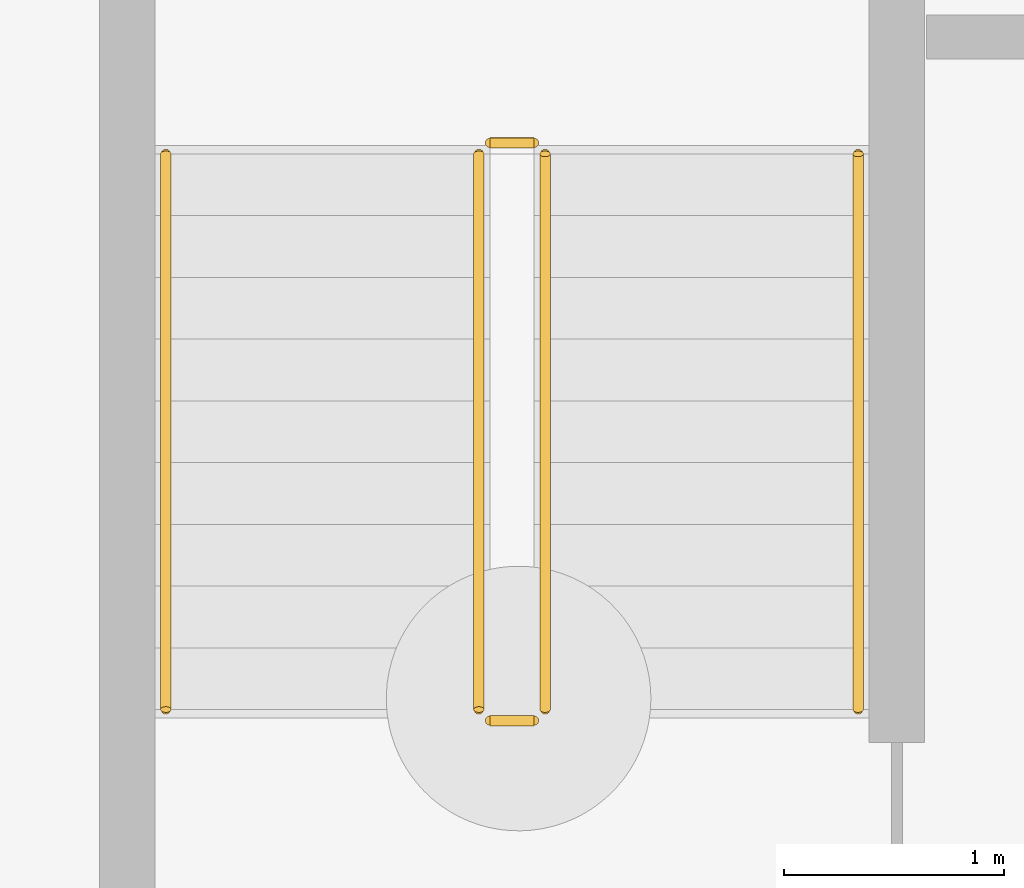
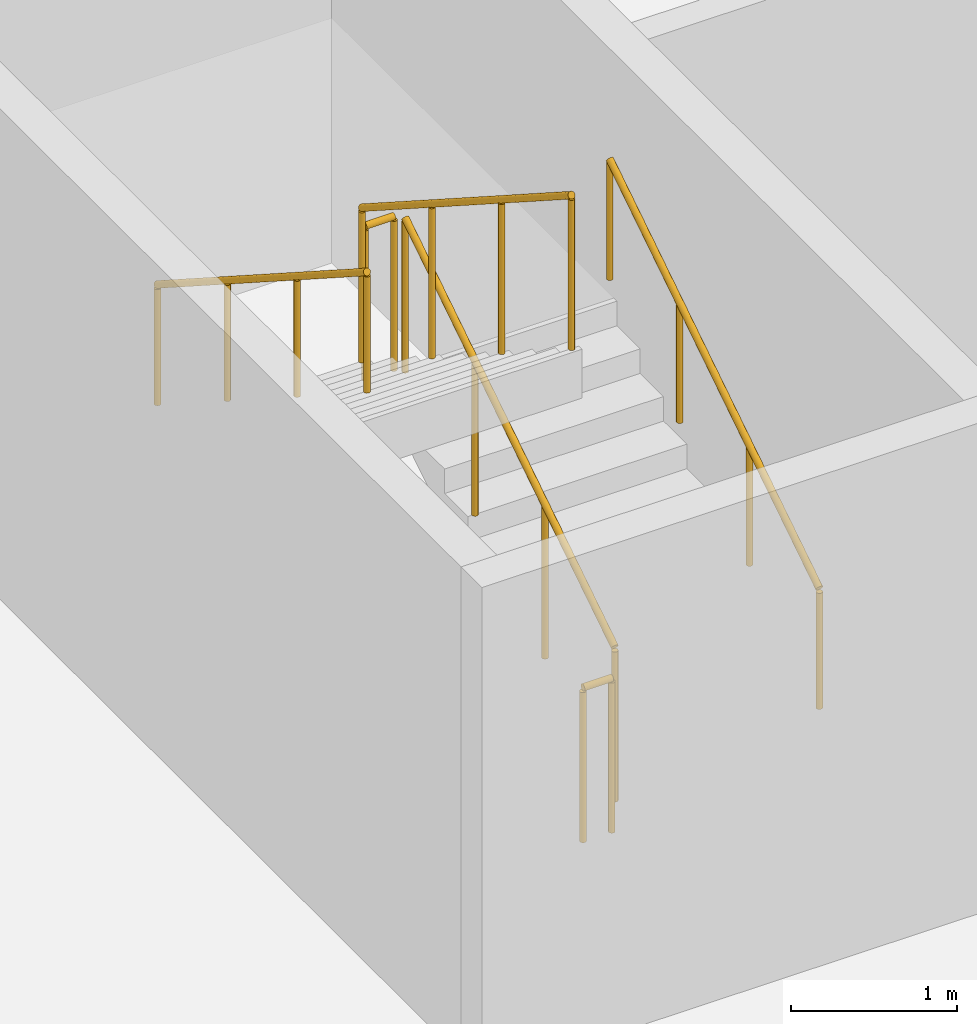
# One storey, part 19 of 26: 6 railings.
"""IFC4 building model written with IfcOpenShell, lengths in metres."""

from ifc_helpers import new_model, si_unit, direction, frame, origin, origin_2d, place, context, subcontext, project, spatial, circle, extrude, material, type_object, element, save


model = new_model("IFC4")

# Units and contexts
model_context = context("Model", 3, precision=1e-05, world=origin(), true_north=direction((0.0, 1.0)))
body_context = subcontext(model_context, "Body", "Model", "MODEL_VIEW")
ifc_project = project(units=[si_unit("LENGTHUNIT", "METRE"), si_unit("AREAUNIT", "SQUARE_METRE"), si_unit("VOLUMEUNIT", "CUBIC_METRE"), si_unit("PLANEANGLEUNIT", "RADIAN"), si_unit("MASSUNIT", "GRAM", prefix="KILO")], contexts=[model_context])

# Site, building, storey
site_placement = place(None, origin())
site = spatial("IfcSite", under=ifc_project, at=site_placement, CompositionType="ELEMENT")
building_placement = place(site_placement, origin())
building = spatial("IfcBuilding", under=site, at=building_placement, Name="Korimba Cascade Residences", CompositionType="ELEMENT")
storey_placement = place(building_placement, frame((0.0, 0.0, -10.800048828125)))
storey = spatial("IfcBuildingStorey", under=building, at=storey_placement, Name="B03", CompositionType="ELEMENT", Elevation=-10.800048828125)

# Railings
ifc_material_1 = material(Name="Painted Steel Stairwell Guardrail", Category="steel")
railing_type_1 = type_object("IfcRailingType", Name="RLG-ST-GD1150", PredefinedType="GUARDRAIL", material=ifc_material_1)
railing_1_placement = place(storey_placement, frame((59.77001953125, -11.14990234375, 0.179931640625)))
element("IfcRailing", 1, at=railing_1_placement, inside=storey, type_object=railing_type_1, Name="B03 ST-P3 stair guard 1", PredefinedType="GUARDRAIL", context=body_context, shape_type="SweptSolid", body=[
    extrude(circle(Radius=0.02392578125, at=origin_2d()), frame((0.0, 0.0, 1.1259765625), z_axis=(0.0, 0.841162588446, 0.540782303519), x_axis=(-1.0, 0.0, 0.0)), (0.0, 0.0, 1.0), 2.995849609375),
    extrude(circle(Radius=0.02099609375, at=origin_2d()), origin(), (0.0, 0.0, 1.0), 1.101806640625),
    extrude(circle(Radius=0.02099609375, at=origin_2d()), frame((0.0, 0.840087890625, 0.5400390625)), (0.0, 0.0, 1.0), 1.101806640625),
    extrude(circle(Radius=0.02099609375, at=origin_2d()), frame((0.0, 1.679931640625, 1.080078125)), (0.0, 0.0, 1.0), 1.101806640625),
    extrude(circle(Radius=0.02099609375, at=origin_2d()), frame((0.0, 2.52001953125, 1.6201171875)), (0.0, 0.0, 1.0), 1.101806640625),
])
railing_2_placement = place(storey_placement, frame((59.719970703125, -8.580078125, 1.800048828125)))
element("IfcRailing", 2, at=railing_2_placement, inside=storey, type_object=railing_type_1, Name="B03 ST-P3 stair guard 2", PredefinedType="GUARDRAIL", context=body_context, shape_type="SweptSolid", body=[
    extrude(circle(Radius=0.02392578125, at=origin_2d()), frame((0.0, 0.0, 1.1259765625), z_axis=(-1.0, 0.0, 0.0), x_axis=(0.0, -1.0, 0.0)), (0.0, 0.0, 1.0), 0.199951171875),
    extrude(circle(Radius=0.02099609375, at=origin_2d()), origin(), (0.0, 0.0, 1.0), 1.101806640625),
    extrude(circle(Radius=0.02099609375, at=origin_2d()), frame((-0.199951171875, 0.0, 0.0)), (0.0, 0.0, 1.0), 1.101806640625),
])
railing_3_placement = place(storey_placement, frame((59.469970703125, -8.6298828125, 1.97998046875)))
element("IfcRailing", 3, at=railing_3_placement, inside=storey, type_object=railing_type_1, Name="B03 ST-P3 stair guard 3", PredefinedType="GUARDRAIL", context=body_context, shape_type="SweptSolid", body=[
    extrude(circle(Radius=0.02392578125, at=origin_2d()), frame((0.0, 0.0, 1.1259765625), z_axis=(0.0, -0.841162588446, 0.540782303519), x_axis=(1.0, 0.0, 0.0)), (0.0, 0.0, 1.0), 2.995849609375),
    extrude(circle(Radius=0.02099609375, at=origin_2d()), origin(), (0.0, 0.0, 1.0), 1.101806640625),
    extrude(circle(Radius=0.02099609375, at=origin_2d()), frame((0.0, -0.840087890625, 0.5400390625)), (0.0, 0.0, 1.0), 1.101806640625),
    extrude(circle(Radius=0.02099609375, at=origin_2d()), frame((0.0, -1.679931640625, 1.080078125)), (0.0, 0.0, 1.0), 1.101806640625),
    extrude(circle(Radius=0.02099609375, at=origin_2d()), frame((0.0, -2.52001953125, 1.6201171875)), (0.0, 0.0, 1.0), 1.101806640625),
])
railing_4_placement = place(storey_placement, frame((59.719970703125, -11.199951171875, 0.0)))
element("IfcRailing", 4, at=railing_4_placement, inside=storey, type_object=railing_type_1, Name="B03 ST-P3 stair guard 4", PredefinedType="GUARDRAIL", context=body_context, shape_type="SweptSolid", body=[
    extrude(circle(Radius=0.02392578125, at=origin_2d()), frame((0.0, 0.0, 1.1259765625), z_axis=(-1.0, 0.0, 0.0), x_axis=(0.0, -1.0, 0.0)), (0.0, 0.0, 1.0), 0.199951171875),
    extrude(circle(Radius=0.02099609375, at=origin_2d()), origin(), (0.0, 0.0, 1.0), 1.101806640625),
    extrude(circle(Radius=0.02099609375, at=origin_2d()), frame((-0.199951171875, 0.0, 0.0)), (0.0, 0.0, 1.0), 1.101806640625),
])
ifc_material_2 = material(Name="Brushed Stainless Steel Handrail", Category="steel")
railing_type_2 = type_object("IfcRailingType", Name="RLG-ST-HR900", PredefinedType="HANDRAIL", material=ifc_material_2)
railing_5_placement = place(storey_placement, frame((61.18994140625, -11.14990234375, 0.36376953125)))
element("IfcRailing", 5, at=railing_5_placement, inside=storey, type_object=railing_type_2, Name="B03 ST-P3 stair handrail 1", PredefinedType="HANDRAIL", context=body_context, shape_type="SweptSolid", body=[
    extrude(circle(Radius=0.02392578125, at=origin_2d()), frame((0.0, 0.0, 0.8759765625), z_axis=(0.0, 0.841162588446, 0.540782303519), x_axis=(-1.0, 0.0, 0.0)), (0.0, 0.0, 1.0), 2.995849609375),
    extrude(circle(Radius=0.02099609375, at=origin_2d()), origin(), (0.0, 0.0, 1.0), 0.851806640625),
    extrude(circle(Radius=0.02099609375, at=origin_2d()), frame((0.0, 0.840087890625, 0.5400390625)), (0.0, 0.0, 1.0), 0.851806640625),
    extrude(circle(Radius=0.02099609375, at=origin_2d()), frame((0.0, 1.679931640625, 1.080078125)), (0.0, 0.0, 1.0), 0.851806640625),
    extrude(circle(Radius=0.02099609375, at=origin_2d()), frame((0.0, 2.52001953125, 1.6201171875)), (0.0, 0.0, 1.0), 0.851806640625),
])
railing_6_placement = place(storey_placement, frame((58.050048828125, -8.6298828125, 2.163818359375)))
element("IfcRailing", 6, at=railing_6_placement, inside=storey, type_object=railing_type_2, Name="B03 ST-P3 stair handrail 2", PredefinedType="HANDRAIL", context=body_context, shape_type="SweptSolid", body=[
    extrude(circle(Radius=0.02392578125, at=origin_2d()), frame((0.0, 0.0, 0.8759765625), z_axis=(0.0, -0.841162588446, 0.540782303519), x_axis=(1.0, 0.0, 0.0)), (0.0, 0.0, 1.0), 2.995849609375),
    extrude(circle(Radius=0.02099609375, at=origin_2d()), origin(), (0.0, 0.0, 1.0), 0.851806640625),
    extrude(circle(Radius=0.02099609375, at=origin_2d()), frame((0.0, -0.840087890625, 0.5400390625)), (0.0, 0.0, 1.0), 0.851806640625),
    extrude(circle(Radius=0.02099609375, at=origin_2d()), frame((0.0, -1.679931640625, 1.080078125)), (0.0, 0.0, 1.0), 0.851806640625),
    extrude(circle(Radius=0.02099609375, at=origin_2d()), frame((0.0, -2.52001953125, 1.6201171875)), (0.0, 0.0, 1.0), 0.851806640625),
])

save(model, "model.ifc")
